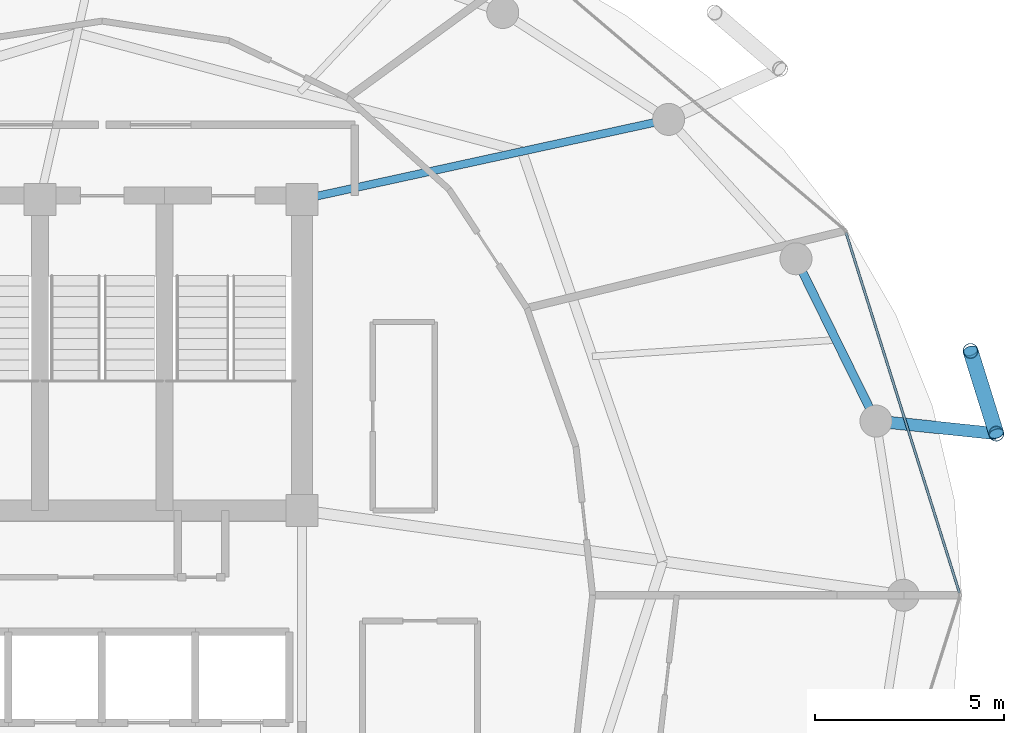
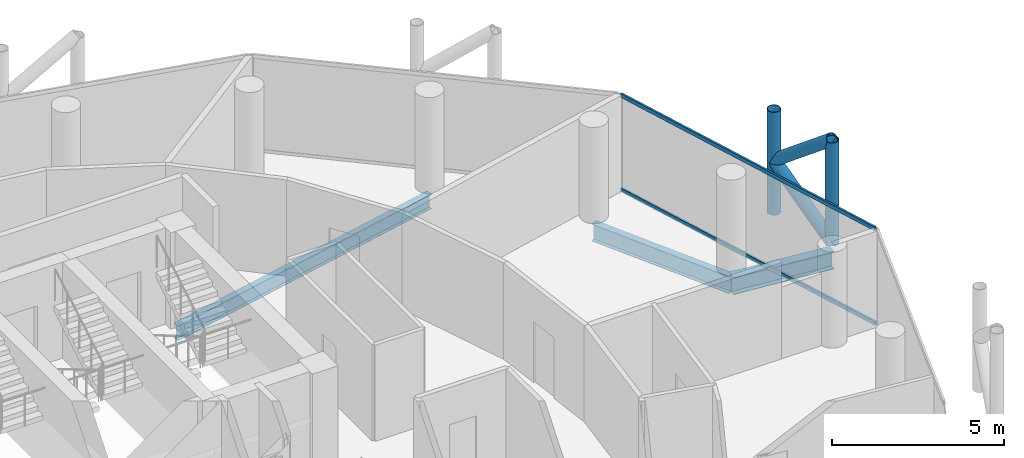
# One storey, part 16 of 27: 6 members, 3 beams, 1 element without a shape of its own.
"""IFC4 building model written with IfcOpenShell, lengths in metres."""

from ifc_helpers import new_model, si_unit, direction, frame, origin, origin_2d, place, context, subcontext, project, spatial, hollow_rectangle, hollow_circle, i_section, extrude, material, layer, layer_set, material_profile, profile_set, type_object, element, aggregate, save


model = new_model("IFC4")

# Units and contexts
model_context = context("Model", 3, precision=1e-05, world=origin(), true_north=direction((0.0, 1.0)))
body_context = subcontext(model_context, "Body", "Model", "MODEL_VIEW")
ifc_project = project(units=[si_unit("LENGTHUNIT", "METRE"), si_unit("AREAUNIT", "SQUARE_METRE"), si_unit("VOLUMEUNIT", "CUBIC_METRE"), si_unit("PLANEANGLEUNIT", "RADIAN"), si_unit("MASSUNIT", "GRAM", prefix="KILO")], contexts=[model_context])

# Site, building, storey
site_placement = place(None, origin())
site = spatial("IfcSite", under=ifc_project, at=site_placement, CompositionType="ELEMENT")
building_placement = place(site_placement, origin())
building = spatial("IfcBuilding", under=site, at=building_placement, Name="Nuhasar Tower", CompositionType="ELEMENT")
storey_placement = place(building_placement, frame((0.0, 0.0, 219.10009765625)))
storey = spatial("IfcBuildingStorey", under=building, at=storey_placement, Name="L53", CompositionType="ELEMENT", Elevation=219.10009765625)

# Beams
ifc_material_1 = material(Name="Steel S355", Category="steel")
ifc_material_profile_1 = material_profile(ifc_material_1, i_section(OverallWidth=0.208984375, OverallDepth=0.528076171875, WebThickness=0.009521484375, FlangeThickness=0.01318359375, at=origin_2d()), Name="W21X55")
ifc_profile_set_1 = profile_set([ifc_material_profile_1], Name="Steel S355")
beam_type_1 = type_object("IfcBeamType", Name="BM-RAD-W21X55", PredefinedType="BEAM", material=ifc_profile_set_1)
beam_1_placement = place(storey_placement, frame((44.300048828125, 37.300048828125, -0.504150390625), z_axis=(0.977014275474, 0.213173885644, 0.0), x_axis=(-0.213173885644, 0.977014275474, 0.0)))
element("IfcBeam", 1, at=beam_1_placement, inside=storey, type_object=beam_type_1, Name="L53 Radial Floor Girder 05", PredefinedType="BEAM", context=body_context, shape_type="SweptSolid", body=[
    extrude(i_section(OverallWidth=0.208984375, OverallDepth=0.528076171875, WebThickness=0.009521484375, FlangeThickness=0.01318359375, at=origin_2d()), origin(), (0.0, 0.0, 1.0), 9.95458984375),
])
ifc_material_profile_2 = material_profile(ifc_material_1, i_section(OverallWidth=0.22802734375, OverallDepth=0.60791015625, WebThickness=0.01123046875, FlangeThickness=0.017333984375, at=origin_2d()), Name="W24X76")
ifc_profile_set_2 = profile_set([ifc_material_profile_2], Name="Steel S355")
beam_type_2 = type_object("IfcBeamType", Name="BM-RING-W24X76", PredefinedType="SPANDREL", material=ifc_profile_set_2)
beam_2_placement = place(storey_placement, frame((59.52587890625, 31.419921875, -0.544189453125), z_axis=(-0.442242604409, 0.896895467067, 0.0), x_axis=(-0.896895467067, -0.442242604409, 0.0)))
element("IfcBeam", 2, at=beam_2_placement, inside=storey, type_object=beam_type_2, Name="L53 Perimeter Ring Spandrel 02", PredefinedType="SPANDREL", context=body_context, shape_type="SweptSolid", body=[
    extrude(i_section(OverallWidth=0.22802734375, OverallDepth=0.60791015625, WebThickness=0.01123046875, FlangeThickness=0.017333984375, at=origin_2d()), origin(), (0.0, 0.0, 1.0), 4.800048828125),
])
ifc_material_profile_3 = material_profile(ifc_material_1, i_section(OverallWidth=0.323974609375, OverallDepth=0.611083984375, WebThickness=0.0126953125, FlangeThickness=0.01904296875, at=origin_2d()), Name="W24X104")
ifc_profile_set_3 = profile_set([ifc_material_profile_3], Name="Steel S355")
beam_type_3 = type_object("IfcBeamType", Name="BM-TIE-W24X104", PredefinedType="BEAM", material=ifc_profile_set_3)
beam_3_placement = place(storey_placement, frame((59.52587890625, 31.419921875, -0.545166015625), z_axis=(0.994571111079, -0.10405914187, 0.0), x_axis=(0.10405914187, 0.994571111079, 0.0)))
element("IfcBeam", 3, at=beam_3_placement, inside=storey, type_object=beam_type_3, Name="L53 Exoskeleton Node Tie Beam 01", PredefinedType="BEAM", context=body_context, shape_type="SweptSolid", body=[
    extrude(i_section(OverallWidth=0.323974609375, OverallDepth=0.611083984375, WebThickness=0.0126953125, FlangeThickness=0.01904296875, at=origin_2d()), origin(), (0.0, 0.0, 1.0), 3.20947265625),
])

# Curtain wall, members
ifc_material_2 = material(Name="Aluminium 6063-T6", Category="aluminium")
ifc_layer = layer(ifc_material_2, 0.18994140625)
ifc_layer_set = layer_set([ifc_layer], Name="Aluminium 6063-T6")
curtain_wall_type = type_object("IfcCurtainWallType", Name="CW-Z3-RES", PredefinedType="NOTDEFINED", material=ifc_layer_set)
curtain_wall_placement = place(storey_placement, origin())
curtain_wall = element("IfcCurtainWall", 4, at=curtain_wall_placement, inside=storey, type_object=curtain_wall_type, Name="L53 Unitised Curtain Wall 01", PredefinedType="NOTDEFINED")
ifc_material_profile_4 = material_profile(ifc_material_2, hollow_rectangle(XDim=0.06494140625, YDim=0.139892578125, WallThickness=0.00439453125, at=origin_2d()), Name="CWT-4")
ifc_profile_set_4 = profile_set([ifc_material_profile_4], Name="Aluminium 6063-T6")
member_type_1 = type_object("IfcMemberType", Name="CW-TRN-S4", PredefinedType="USERDEFINED", material=ifc_profile_set_4)
member_1_placement = place(storey_placement, frame((61.740478515625, 26.862060546875, 0.032470703125), z_axis=(-0.300437373386, 0.953801543652, 0.0), x_axis=(-0.953801543652, -0.300437373386, 0.0)))
member_1 = element("IfcMember", 5, at=member_1_placement, type_object=member_type_1, Name="CW-Z3 transom 1.1", ObjectType="TRANSOM", PredefinedType="USERDEFINED", context=body_context, shape_type="SweptSolid", body=[
    extrude(hollow_rectangle(XDim=0.06494140625, YDim=0.139892578125, WallThickness=0.00439453125, at=origin_2d()), origin(), (0.0, 0.0, 1.0), 10.018798828125),
])
member_2_placement = place(storey_placement, frame((61.740478515625, 26.862060546875, 3.37744140625), z_axis=(-0.300437373386, 0.953801543652, 0.0), x_axis=(-0.953801543652, -0.300437373386, 0.0)))
member_2 = element("IfcMember", 6, at=member_2_placement, type_object=member_type_1, Name="CW-Z3 transom 1.2", ObjectType="TRANSOM", PredefinedType="USERDEFINED", context=body_context, shape_type="SweptSolid", body=[
    extrude(hollow_rectangle(XDim=0.06494140625, YDim=0.139892578125, WallThickness=0.00439453125, at=origin_2d()), origin(), (0.0, 0.0, 1.0), 10.018798828125),
])
aggregate(curtain_wall, [member_1, member_2])

# Members
ifc_material_3 = material(Name="Steel S460", Category="steel")
ifc_material_profile_5 = material_profile(ifc_material_3, hollow_circle(Radius=0.203125, WallThickness=0.01904296875, at=origin_2d()), Name="HSS406.4X19.1")
ifc_profile_set_5 = profile_set([ifc_material_profile_5], Name="Steel S460")
member_type_2 = type_object("IfcMemberType", Name="EXO-BRONZE-406", PredefinedType="BRACE", material=ifc_profile_set_5)
for number, where, z_axis, x_axis, name in (
    (7, (62.718017578125, 31.0859375, 0.0), (0.0, 0.0, 1.0), (1.0, 0.0, 0.0), "L53 Exoskeleton Chord Column EC-01A"),
    (8, (62.032958984375, 33.281005859375, 0.0), (0.0, 0.0, 1.0), (1.0, 0.0, 0.0), "L53 Exoskeleton Chord Column EC-01B"),
):
    element("IfcMember", number, at=place(storey_placement, frame(where, z_axis=z_axis, x_axis=x_axis)), inside=storey, type_object=member_type_2, Name=name, PredefinedType="BRACE", context=body_context, shape_type="SweptSolid", body=[
        extrude(hollow_circle(Radius=0.203125, WallThickness=0.01904296875, at=origin_2d()), origin(), (0.0, 0.0, 1.0), 3.64990234375),
    ])
for number, where, z_axis, x_axis, name in (
    (9, (62.718017578125, 31.0859375, 0.0), (-0.233357911711, 0.747726651531, 0.621650174641), (-0.954591372974, -0.297918295247, 0.0), "L53 Bronze Diagrid Brace W1-01"),
    (10, (62.032958984375, 33.281005859375, 1.824951171875), (0.233357911711, -0.747726651531, 0.621650174641), (0.954591372974, 0.297918295247, 0.0), "L53 Bronze Diagrid Brace W2-01"),
):
    element("IfcMember", number, at=place(storey_placement, frame(where, z_axis=z_axis, x_axis=x_axis)), inside=storey, type_object=member_type_2, Name=name, PredefinedType="BRACE", context=body_context, shape_type="SweptSolid", body=[
        extrude(hollow_circle(Radius=0.203125, WallThickness=0.01904296875, at=origin_2d()), origin(), (0.0, 0.0, 1.0), 2.935546875),
    ])

save(model, "model.ifc")
